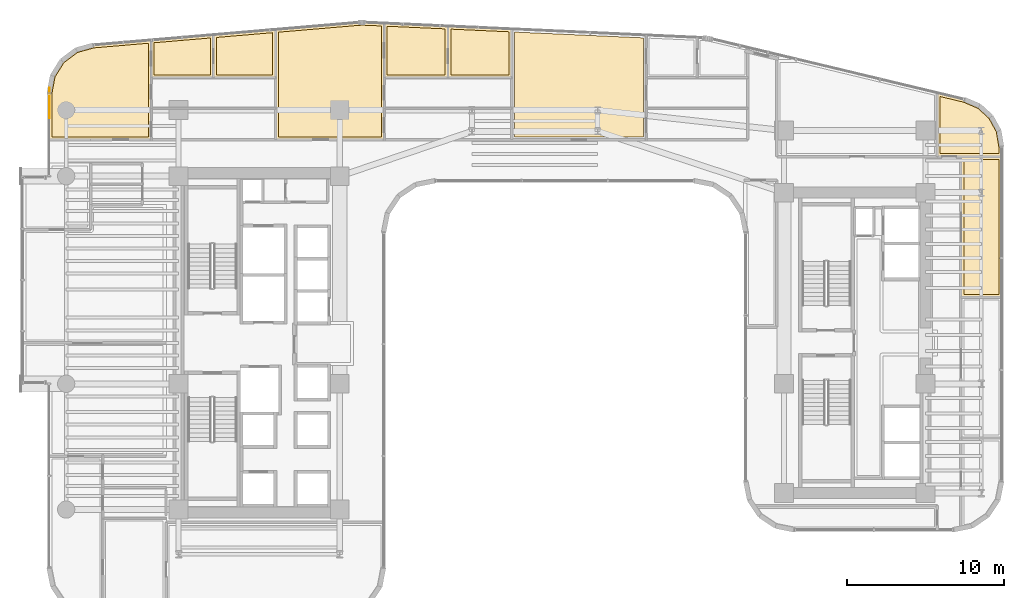
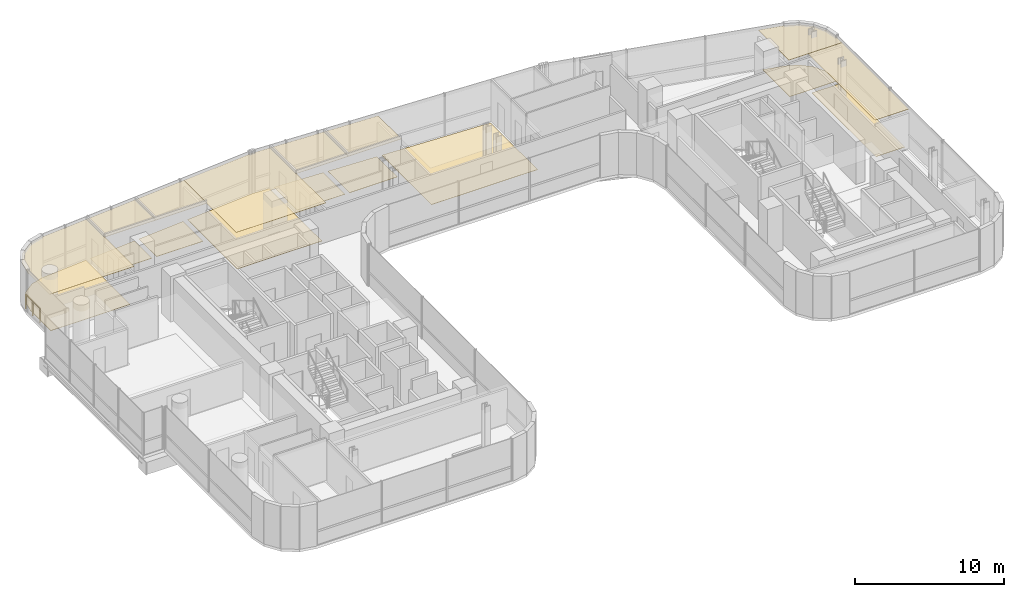
# One storey, part 34 of 35: 17 coverings, 1 railing.
"""IFC4 building model written with IfcOpenShell, lengths in metres."""

from ifc_helpers import new_model, si_unit, direction, frame, origin, origin_2d, place, context, subcontext, project, spatial, polyline, circle, outline, extrude, material, layer, layer_set, type_object, element, save


model = new_model("IFC4")

# Units and contexts
model_context = context("Model", 3, precision=1e-05, world=origin(), true_north=direction((0.0, 1.0)))
body_context = subcontext(model_context, "Body", "Model", "MODEL_VIEW")
ifc_project = project(units=[si_unit("LENGTHUNIT", "METRE"), si_unit("AREAUNIT", "SQUARE_METRE"), si_unit("VOLUMEUNIT", "CUBIC_METRE"), si_unit("PLANEANGLEUNIT", "RADIAN"), si_unit("MASSUNIT", "GRAM", prefix="KILO")], contexts=[model_context])

# Site, building, storey
site_placement = place(None, origin())
site = spatial("IfcSite", under=ifc_project, at=site_placement, CompositionType="ELEMENT")
building_placement = place(site_placement, origin())
building = spatial("IfcBuilding", under=site, at=building_placement, Name="Valdorenza Pilgrim Sanctuary Tower", CompositionType="ELEMENT")
storey_placement = place(building_placement, frame((0.0, 0.0, 105.699951171875)))
storey = spatial("IfcBuildingStorey", under=building, at=storey_placement, Name="L26", CompositionType="ELEMENT", Elevation=105.699951171875)

# Coverings
ifc_material_1 = material(Name="Micro-perforated acoustic mineral ceiling tile", Category="gypsum")
ifc_layer_1 = layer(ifc_material_1, 0.02490234375, Name="Micro-perforated acoustic mineral ceiling tile")
ifc_layer_set_1 = layer_set([ifc_layer_1], Name="Micro-perforated acoustic mineral ceiling tile")
covering_type_1 = type_object("IfcCoveringType", Name="COV-CLG-ACU", PredefinedType="CEILING", material=ifc_layer_set_1)
covering_1_placement = place(storey_placement, frame((0.0, 0.0, 3.16015625)))
element("IfcCovering", 1, at=covering_1_placement, inside=storey, type_object=covering_type_1, Name="L26 North Family Flat L26-N1 Bedroom 1 Acoustic Ceiling", PredefinedType="CEILING", context=body_context, shape_type="SweptSolid", body=[
    extrude(outline(polyline([(-24.38720703125, 16.85498046875), (-24.388671875, 16.85498046875), (-24.39013671875, 16.855224609375), (-24.3916015625, 16.855712890625), (-24.392822265625, 16.856201171875), (-24.394287109375, 16.856689453125), (-24.3955078125, 16.857421875), (-24.396728515625, 16.8583984375), (-24.397705078125, 16.859375), (-24.398681640625, 16.860595703125), (-24.399658203125, 16.86181640625), (-24.400390625, 16.86279296875), (-24.401123046875, 16.8642578125), (-24.401611328125, 16.865478515625), (-24.40185546875, 16.8671875), (-24.402099609375, 16.868408203125), (-24.402099609375, 16.8701171875), (-24.402099609375, 19.251708984375), (-24.402099609375, 19.253173828125), (-24.40185546875, 19.254638671875), (-24.401611328125, 19.256103515625), (-24.40087890625, 19.257568359375), (-24.400390625, 19.2587890625), (-24.399658203125, 19.260009765625), (-24.398681640625, 19.26123046875), (-24.397705078125, 19.262451171875), (-24.396484375, 19.263427734375), (-24.3955078125, 19.264404296875), (-24.39404296875, 19.264892578125), (-24.392822265625, 19.265625), (-24.391357421875, 19.26611328125), (-24.389892578125, 19.2666015625), (-24.388427734375, 19.2666015625), (-20.436279296875, 19.6025390625), (-20.434814453125, 19.6025390625), (-20.43359375, 19.6025390625), (-20.431884765625, 19.602294921875), (-20.4306640625, 19.601806640625), (-20.42919921875, 19.601318359375), (-20.427978515625, 19.600830078125), (-20.4267578125, 19.60009765625), (-20.425537109375, 19.59912109375), (-20.42431640625, 19.59814453125), (-20.423583984375, 19.59716796875), (-20.422607421875, 19.595947265625), (-20.421875, 19.594482421875), (-20.421142578125, 19.59326171875), (-20.420654296875, 19.591796875), (-20.42041015625, 19.590576171875), (-20.420166015625, 19.589111328125), (-20.420166015625, 19.587646484375), (-20.420166015625, 16.8701171875), (-20.420166015625, 16.868408203125), (-20.42041015625, 16.8671875), (-20.420654296875, 16.865478515625), (-20.421142578125, 16.8642578125), (-20.421875, 16.86279296875), (-20.422607421875, 16.86181640625), (-20.423583984375, 16.860595703125), (-20.424560546875, 16.859375), (-20.425537109375, 16.8583984375), (-20.4267578125, 16.857421875), (-20.427978515625, 16.856689453125), (-20.429443359375, 16.856201171875), (-20.4306640625, 16.855712890625), (-20.43212890625, 16.855224609375), (-20.43359375, 16.85498046875), (-20.43505859375, 16.85498046875), (-24.38720703125, 16.85498046875)])), origin(), (0.0, 0.0, 1.0), 0.02490234375),
])
covering_2_placement = place(storey_placement, frame((0.0, 0.0, 3.16015625)))
element("IfcCovering", 2, at=covering_2_placement, inside=storey, type_object=covering_type_1, Name="L26 North Family Flat L26-N1 Bedroom 2 Acoustic Ceiling", PredefinedType="CEILING", context=body_context, shape_type="SweptSolid", body=[
    extrude(outline(polyline([(-20.447998046875, 19.587646484375), (-20.447998046875, 19.58837890625), (-20.447998046875, 19.58984375), (-20.44775390625, 19.59130859375), (-20.447265625, 19.5927734375), (-20.44677734375, 19.593994140625), (-20.446044921875, 19.59521484375), (-20.4453125, 19.596435546875), (-20.4443359375, 19.59765625), (-20.443359375, 19.5986328125), (-20.4423828125, 19.599609375), (-20.441162109375, 19.6005859375), (-20.43994140625, 19.601318359375), (-20.438720703125, 19.601806640625), (-20.437255859375, 19.602294921875), (-20.435791015625, 19.6025390625), (-20.434326171875, 19.602783203125), (-16.484619140625, 19.9384765625), (-16.4833984375, 19.9384765625), (-16.48291015625, 19.9384765625), (-16.4814453125, 19.9384765625), (-16.47998046875, 19.938232421875), (-16.478515625, 19.93798828125), (-16.477294921875, 19.9375), (-16.475830078125, 19.936767578125), (-16.474609375, 19.93603515625), (-16.473388671875, 19.93505859375), (-16.472412109375, 19.93408203125), (-16.471435546875, 19.93310546875), (-16.470458984375, 19.931884765625), (-16.4697265625, 19.9306640625), (-16.468994140625, 19.92919921875), (-16.468505859375, 19.927978515625), (-16.46826171875, 19.926513671875), (-16.468017578125, 19.925048828125), (-16.468017578125, 19.923583984375), (-16.468017578125, 16.8701171875), (-16.468017578125, 16.868408203125), (-16.46826171875, 16.8671875), (-16.468505859375, 16.865478515625), (-16.468994140625, 16.8642578125), (-16.4697265625, 16.86279296875), (-16.470458984375, 16.86181640625), (-16.471435546875, 16.860595703125), (-16.472412109375, 16.859375), (-16.473388671875, 16.8583984375), (-16.474609375, 16.857421875), (-16.475830078125, 16.856689453125), (-16.477294921875, 16.856201171875), (-16.478515625, 16.855712890625), (-16.47998046875, 16.855224609375), (-16.4814453125, 16.85498046875), (-16.48291015625, 16.85498046875), (-20.43310546875, 16.85498046875), (-20.4345703125, 16.85498046875), (-20.43603515625, 16.855224609375), (-20.4375, 16.855712890625), (-20.438720703125, 16.856201171875), (-20.440185546875, 16.856689453125), (-20.44140625, 16.857421875), (-20.442626953125, 16.8583984375), (-20.443603515625, 16.859375), (-20.444580078125, 16.860595703125), (-20.445556640625, 16.86181640625), (-20.4462890625, 16.86279296875), (-20.447021484375, 16.8642578125), (-20.447509765625, 16.865478515625), (-20.44775390625, 16.8671875), (-20.447998046875, 16.868408203125), (-20.447998046875, 16.8701171875), (-20.447998046875, 19.587646484375), (-20.447998046875, 19.587646484375)])), origin(), (0.0, 0.0, 1.0), 0.02490234375),
])
covering_3_placement = place(storey_placement, frame((0.0, 0.0, 3.16015625)))
element("IfcCovering", 3, at=covering_3_placement, inside=storey, type_object=covering_type_1, Name="L26 North Family Flat L26-N1 Living Room Acoustic Ceiling", PredefinedType="CEILING", context=body_context, shape_type="SweptSolid", body=[
    extrude(outline(polyline([(-30.889892578125, 12.905029296875), (-30.8916015625, 12.905029296875), (-30.892822265625, 12.9052734375), (-30.894287109375, 12.905517578125), (-30.895751953125, 12.906005859375), (-30.897216796875, 12.90673828125), (-30.898193359375, 12.907470703125), (-30.8994140625, 12.908447265625), (-30.900634765625, 12.909423828125), (-30.901611328125, 12.910400390625), (-30.902587890625, 12.91162109375), (-30.9033203125, 12.912841796875), (-30.90380859375, 12.914306640625), (-30.904296875, 12.91552734375), (-30.90478515625, 12.9169921875), (-30.90478515625, 12.91845703125), (-30.905029296875, 12.919921875), (-30.905029296875, 15.850341796875), (-30.90478515625, 15.8515625), (-30.90478515625, 15.85302734375), (-30.692138671875, 16.984130859375), (-30.69189453125, 16.985595703125), (-30.69140625, 16.98681640625), (-30.69091796875, 16.98828125), (-30.690185546875, 16.989501953125), (-30.0869140625, 17.95751953125), (-30.086181640625, 17.958740234375), (-30.085205078125, 17.959716796875), (-30.084228515625, 17.960693359375), (-30.083251953125, 17.961669921875), (-29.169677734375, 18.64453125), (-29.16845703125, 18.6455078125), (-29.167236328125, 18.64599609375), (-29.166015625, 18.646484375), (-29.164794921875, 18.647216796875), (-28.055419921875, 18.95458984375), (-28.05419921875, 18.955078125), (-28.052734375, 18.955078125), (-24.390380859375, 19.2666015625), (-24.388916015625, 19.2666015625), (-24.3876953125, 19.2666015625), (-24.385986328125, 19.26611328125), (-24.384765625, 19.265869140625), (-24.38330078125, 19.265380859375), (-24.382080078125, 19.2646484375), (-24.380859375, 19.263916015625), (-24.379638671875, 19.26318359375), (-24.37841796875, 19.26220703125), (-24.377685546875, 19.260986328125), (-24.376708984375, 19.259765625), (-24.3759765625, 19.258544921875), (-24.375244140625, 19.257080078125), (-24.374755859375, 19.255859375), (-24.37451171875, 19.25439453125), (-24.374267578125, 19.2529296875), (-24.374267578125, 19.25146484375), (-24.374267578125, 16.87548828125), (-24.373779296875, 16.875), (-24.373291015625, 16.87353515625), (-24.372802734375, 16.872314453125), (-24.37255859375, 16.870849609375), (-24.372314453125, 16.869384765625), (-24.372314453125, 16.867919921875), (-24.372314453125, 12.919921875), (-24.372314453125, 12.91845703125), (-24.37255859375, 12.9169921875), (-24.372802734375, 12.91552734375), (-24.373291015625, 12.914306640625), (-24.3740234375, 12.912841796875), (-24.374755859375, 12.91162109375), (-24.37548828125, 12.910400390625), (-24.376708984375, 12.909423828125), (-24.377685546875, 12.908447265625), (-24.37890625, 12.907470703125), (-24.380126953125, 12.90673828125), (-24.381591796875, 12.906005859375), (-24.3828125, 12.905517578125), (-24.38427734375, 12.9052734375), (-24.3857421875, 12.905029296875), (-24.38720703125, 12.905029296875), (-30.889892578125, 12.905029296875)])), origin(), (0.0, 0.0, 1.0), 0.02490234375),
])
covering_4_placement = place(storey_placement, frame((0.0, 0.0, 3.16015625)))
element("IfcCovering", 4, at=covering_4_placement, inside=storey, type_object=covering_type_1, Name="L26 North Family Flat L26-N2 Bedroom 1 Acoustic Ceiling", PredefinedType="CEILING", context=body_context, shape_type="SweptSolid", body=[
    extrude(outline(polyline([(-9.57568359375, 16.85498046875), (-9.5771484375, 16.85498046875), (-9.57861328125, 16.855224609375), (-9.580078125, 16.855712890625), (-9.581298828125, 16.856201171875), (-9.582763671875, 16.856689453125), (-9.583984375, 16.857421875), (-9.585205078125, 16.8583984375), (-9.586181640625, 16.859375), (-9.587158203125, 16.860595703125), (-9.588134765625, 16.86181640625), (-9.5888671875, 16.86279296875), (-9.589599609375, 16.8642578125), (-9.590087890625, 16.865478515625), (-9.59033203125, 16.8671875), (-9.590576171875, 16.868408203125), (-9.590576171875, 16.8701171875), (-9.590576171875, 20.3251953125), (-9.590576171875, 20.32666015625), (-9.59033203125, 20.328125), (-9.58984375, 20.32958984375), (-9.58935546875, 20.3310546875), (-9.588623046875, 20.33251953125), (-9.587890625, 20.333740234375), (-9.5869140625, 20.3349609375), (-9.5859375, 20.3359375), (-9.584716796875, 20.3369140625), (-9.58349609375, 20.337890625), (-9.582275390625, 20.338623046875), (-9.580810546875, 20.339111328125), (-9.579345703125, 20.339599609375), (-9.577880859375, 20.33984375), (-9.576416015625, 20.340087890625), (-9.574951171875, 20.340087890625), (-5.5205078125, 20.15576171875), (-5.519287109375, 20.15576171875), (-5.517822265625, 20.155517578125), (-5.516357421875, 20.155029296875), (-5.51513671875, 20.154541015625), (-5.513916015625, 20.15380859375), (-5.5126953125, 20.153076171875), (-5.511474609375, 20.152099609375), (-5.510498046875, 20.151123046875), (-5.509521484375, 20.150146484375), (-5.5087890625, 20.14892578125), (-5.508056640625, 20.147705078125), (-5.50732421875, 20.146484375), (-5.5068359375, 20.14501953125), (-5.506591796875, 20.143798828125), (-5.50634765625, 20.142333984375), (-5.50634765625, 20.140869140625), (-5.50634765625, 16.8701171875), (-5.50634765625, 16.868408203125), (-5.506591796875, 16.8671875), (-5.5068359375, 16.865478515625), (-5.50732421875, 16.8642578125), (-5.508056640625, 16.86279296875), (-5.5087890625, 16.86181640625), (-5.509765625, 16.860595703125), (-5.5107421875, 16.859375), (-5.51171875, 16.8583984375), (-5.512939453125, 16.857421875), (-5.51416015625, 16.856689453125), (-5.515625, 16.856201171875), (-5.516845703125, 16.855712890625), (-5.518310546875, 16.855224609375), (-5.519775390625, 16.85498046875), (-5.521240234375, 16.85498046875), (-9.57568359375, 16.85498046875)])), origin(), (0.0, 0.0, 1.0), 0.02490234375),
])
covering_5_placement = place(storey_placement, frame((0.0, 0.0, 3.16015625)))
element("IfcCovering", 5, at=covering_5_placement, inside=storey, type_object=covering_type_1, Name="L26 North Family Flat L26-N2 Bedroom 2 Acoustic Ceiling", PredefinedType="CEILING", context=body_context, shape_type="SweptSolid", body=[
    extrude(outline(polyline([(-5.519287109375, 16.85498046875), (-5.520751953125, 16.85498046875), (-5.522216796875, 16.855224609375), (-5.523681640625, 16.855712890625), (-5.52490234375, 16.856201171875), (-5.5263671875, 16.856689453125), (-5.527587890625, 16.857421875), (-5.52880859375, 16.8583984375), (-5.52978515625, 16.859375), (-5.531005859375, 16.860595703125), (-5.53173828125, 16.86181640625), (-5.532470703125, 16.86279296875), (-5.533203125, 16.8642578125), (-5.53369140625, 16.865478515625), (-5.533935546875, 16.8671875), (-5.5341796875, 16.868408203125), (-5.5341796875, 16.8701171875), (-5.5341796875, 20.140625), (-5.5341796875, 20.142333984375), (-5.533935546875, 20.143798828125), (-5.53369140625, 20.145263671875), (-5.533203125, 20.146484375), (-5.532470703125, 20.14794921875), (-5.531494140625, 20.1494140625), (-5.53076171875, 20.150390625), (-5.52978515625, 20.151611328125), (-5.528564453125, 20.152587890625), (-5.52734375, 20.1533203125), (-5.52587890625, 20.154296875), (-5.524658203125, 20.15478515625), (-5.523193359375, 20.1552734375), (-5.521484375, 20.155517578125), (-5.52001953125, 20.15576171875), (-5.5185546875, 20.15576171875), (-1.46630859375, 19.971435546875), (-1.46484375, 19.971435546875), (-1.46337890625, 19.97119140625), (-1.462158203125, 19.970703125), (-1.460693359375, 19.97021484375), (-1.45947265625, 19.969482421875), (-1.458251953125, 19.96875), (-1.457275390625, 19.968017578125), (-1.456298828125, 19.966796875), (-1.455078125, 19.9658203125), (-1.454345703125, 19.964599609375), (-1.45361328125, 19.96337890625), (-1.453125, 19.962158203125), (-1.45263671875, 19.960693359375), (-1.452392578125, 19.95947265625), (-1.4521484375, 19.9580078125), (-1.451904296875, 19.95654296875), (-1.451904296875, 16.8701171875), (-1.4521484375, 16.868408203125), (-1.452392578125, 16.8671875), (-1.45263671875, 16.865478515625), (-1.453125, 16.8642578125), (-1.453857421875, 16.86279296875), (-1.45458984375, 16.86181640625), (-1.455322265625, 16.860595703125), (-1.456298828125, 16.859375), (-1.45751953125, 16.8583984375), (-1.458740234375, 16.857421875), (-1.4599609375, 16.856689453125), (-1.461181640625, 16.856201171875), (-1.462646484375, 16.855712890625), (-1.464111328125, 16.855224609375), (-1.465576171875, 16.85498046875), (-1.467041015625, 16.85498046875), (-5.519287109375, 16.85498046875)])), origin(), (0.0, 0.0, 1.0), 0.02490234375),
])
covering_6_placement = place(storey_placement, frame((0.0, 0.0, 3.16015625)))
element("IfcCovering", 6, at=covering_6_placement, inside=storey, type_object=covering_type_1, Name="L26 North Family Flat L26-N2 Living Room Acoustic Ceiling", PredefinedType="CEILING", context=body_context, shape_type="SweptSolid", body=[
    extrude(outline(polyline([(-16.49609375, 14.918212890625), (-16.49609375, 14.9189453125), (-16.496337890625, 14.92041015625), (-16.49609375, 14.922119140625), (-16.49609375, 14.923583984375), (-16.49609375, 14.923828125), (-16.49609375, 16.8662109375), (-16.49609375, 16.866943359375), (-16.496337890625, 16.868408203125), (-16.49609375, 16.8701171875), (-16.49609375, 16.87158203125), (-16.49609375, 16.871826171875), (-16.49609375, 19.923583984375), (-16.49609375, 19.923583984375), (-16.49609375, 19.92431640625), (-16.495849609375, 19.92578125), (-16.49560546875, 19.92724609375), (-16.4951171875, 19.9287109375), (-16.49462890625, 19.929931640625), (-16.493896484375, 19.93115234375), (-16.4931640625, 19.932373046875), (-16.4921875, 19.93359375), (-16.4912109375, 19.9345703125), (-16.490234375, 19.935546875), (-16.489013671875, 19.936279296875), (-16.48779296875, 19.93701171875), (-16.486572265625, 19.937744140625), (-16.485107421875, 19.93798828125), (-16.483642578125, 19.9384765625), (-16.482421875, 19.938720703125), (-11.20068359375, 20.3876953125), (-11.200439453125, 20.3876953125), (-11.099365234375, 20.39453125), (-11.098876953125, 20.39453125), (-10.998291015625, 20.398193359375), (-10.997802734375, 20.398193359375), (-10.897216796875, 20.398681640625), (-10.896728515625, 20.398681640625), (-10.79541015625, 20.3955078125), (-10.795166015625, 20.3955078125), (-9.576904296875, 20.340087890625), (-9.575439453125, 20.340087890625), (-9.57421875, 20.33984375), (-9.57275390625, 20.33935546875), (-9.5712890625, 20.3388671875), (-9.570068359375, 20.338134765625), (-9.56884765625, 20.33740234375), (-9.56787109375, 20.336669921875), (-9.56689453125, 20.335693359375), (-9.56591796875, 20.33447265625), (-9.56494140625, 20.333251953125), (-9.564208984375, 20.33203125), (-9.563720703125, 20.330810546875), (-9.563232421875, 20.329345703125), (-9.56298828125, 20.327880859375), (-9.562744140625, 20.32666015625), (-9.5625, 20.3251953125), (-9.5625, 16.87548828125), (-9.562255859375, 16.875), (-9.561767578125, 16.87353515625), (-9.561279296875, 16.872314453125), (-9.560791015625, 16.870849609375), (-9.560791015625, 16.869384765625), (-9.560546875, 16.867919921875), (-9.560546875, 12.919921875), (-9.560791015625, 12.91845703125), (-9.560791015625, 12.9169921875), (-9.561279296875, 12.91552734375), (-9.561767578125, 12.914306640625), (-9.5625, 12.912841796875), (-9.56298828125, 12.91162109375), (-9.56396484375, 12.910400390625), (-9.56494140625, 12.909423828125), (-9.566162109375, 12.908447265625), (-9.5673828125, 12.907470703125), (-9.568603515625, 12.90673828125), (-9.56982421875, 12.906005859375), (-9.5712890625, 12.905517578125), (-9.57275390625, 12.9052734375), (-9.57421875, 12.905029296875), (-9.57568359375, 12.905029296875), (-16.48095703125, 12.905029296875), (-16.482421875, 12.905029296875), (-16.48388671875, 12.9052734375), (-16.4853515625, 12.905517578125), (-16.48681640625, 12.906005859375), (-16.488037109375, 12.90673828125), (-16.4892578125, 12.907470703125), (-16.490478515625, 12.908447265625), (-16.49169921875, 12.909423828125), (-16.49267578125, 12.910400390625), (-16.493408203125, 12.91162109375), (-16.494140625, 12.912841796875), (-16.494873046875, 12.914306640625), (-16.495361328125, 12.91552734375), (-16.49560546875, 12.9169921875), (-16.495849609375, 12.91845703125), (-16.49609375, 12.919921875), (-16.49609375, 14.918212890625)])), origin(), (0.0, 0.0, 1.0), 0.02490234375),
])
covering_7_placement = place(storey_placement, frame((0.0, 0.0, 3.16015625)))
element("IfcCovering", 7, at=covering_7_placement, inside=storey, type_object=covering_type_1, Name="L26 East Wing Reference Library L26-BNE Acoustic Ceiling", PredefinedType="CEILING", context=body_context, shape_type="SweptSolid", body=[
    extrude(outline(polyline([(27.313720703125, 15.49755859375), (27.31494140625, 15.4970703125), (27.316162109375, 15.49658203125), (28.269775390625, 15.09130859375), (28.271240234375, 15.090576171875), (28.272705078125, 15.089599609375), (28.27392578125, 15.088623046875), (29.034912109375, 14.3994140625), (29.035888671875, 14.398193359375), (29.037109375, 14.39697265625), (29.037841796875, 14.3955078125), (29.531005859375, 13.4951171875), (29.53173828125, 13.49365234375), (29.5322265625, 13.4921875), (29.53271484375, 13.490478515625), (29.704833984375, 12.468994140625), (29.704833984375, 12.467529296875), (29.705078125, 12.46630859375), (29.705078125, 11.85009765625), (29.704833984375, 11.848388671875), (29.70458984375, 11.84716796875), (29.704345703125, 11.845703125), (29.703857421875, 11.84423828125), (29.703125, 11.843017578125), (29.702392578125, 11.841796875), (29.70166015625, 11.840576171875), (29.70068359375, 11.83935546875), (29.699462890625, 11.83837890625), (29.6982421875, 11.83740234375), (29.697021484375, 11.8369140625), (29.69580078125, 11.836181640625), (29.6943359375, 11.835693359375), (29.69287109375, 11.835205078125), (29.69140625, 11.835205078125), (29.68994140625, 11.8349609375), (25.60205078125, 11.8349609375), (25.6005859375, 11.835205078125), (25.59912109375, 11.835205078125), (25.59765625, 11.835693359375), (25.59619140625, 11.836181640625), (25.594970703125, 11.8369140625), (25.59375, 11.83740234375), (25.592529296875, 11.83837890625), (25.59130859375, 11.83935546875), (25.59033203125, 11.840576171875), (25.589599609375, 11.841796875), (25.5888671875, 11.843017578125), (25.588134765625, 11.84423828125), (25.587646484375, 11.845703125), (25.58740234375, 11.84716796875), (25.587158203125, 11.848388671875), (25.5869140625, 11.85009765625), (25.5869140625, 15.891845703125), (25.587158203125, 15.893310546875), (25.58740234375, 15.894775390625), (25.587646484375, 15.896240234375), (25.588134765625, 15.897705078125), (25.5888671875, 15.89892578125), (25.589599609375, 15.900390625), (25.590576171875, 15.901611328125), (25.591552734375, 15.902587890625), (25.5927734375, 15.903564453125), (25.593994140625, 15.904296875), (25.59521484375, 15.9052734375), (25.5966796875, 15.90576171875), (25.597900390625, 15.90625), (25.599609375, 15.906494140625), (25.60107421875, 15.90673828125), (25.6025390625, 15.90673828125), (25.60400390625, 15.906494140625), (25.60546875, 15.906494140625), (27.313720703125, 15.49755859375)])), origin(), (0.0, 0.0, 1.0), 0.02490234375),
])
covering_8_placement = place(storey_placement, frame((0.0, 0.0, 3.16015625)))
element("IfcCovering", 8, at=covering_8_placement, inside=storey, type_object=covering_type_1, Name="L26 East Reading Lounge L26-EB3 Acoustic Ceiling", PredefinedType="CEILING", context=body_context, shape_type="SweptSolid", body=[
    extrude(outline(polyline([(27.0849609375, 11.847900390625), (27.085205078125, 11.849609375), (27.085205078125, 11.850830078125), (27.085693359375, 11.852294921875), (27.086181640625, 11.853759765625), (27.0869140625, 11.85498046875), (27.08740234375, 11.856201171875), (27.08837890625, 11.857421875), (27.08935546875, 11.858642578125), (27.090576171875, 11.859619140625), (27.091796875, 11.860595703125), (27.093017578125, 11.861083984375), (27.09423828125, 11.86181640625), (27.095703125, 11.8623046875), (27.09716796875, 11.86279296875), (27.098388671875, 11.86279296875), (27.10009765625, 11.863037109375), (29.68994140625, 11.863037109375), (29.69140625, 11.86279296875), (29.69287109375, 11.86279296875), (29.6943359375, 11.8623046875), (29.69580078125, 11.86181640625), (29.697021484375, 11.861083984375), (29.6982421875, 11.860595703125), (29.699462890625, 11.859619140625), (29.70068359375, 11.858642578125), (29.70166015625, 11.857421875), (29.702392578125, 11.856201171875), (29.703125, 11.85498046875), (29.703857421875, 11.853759765625), (29.704345703125, 11.852294921875), (29.70458984375, 11.850830078125), (29.704833984375, 11.849609375), (29.705078125, 11.847900390625), (29.705078125, 2.902099609375), (29.704833984375, 2.900390625), (29.70458984375, 2.899169921875), (29.704345703125, 2.897705078125), (29.703857421875, 2.896240234375), (29.703125, 2.89501953125), (29.702392578125, 2.893798828125), (29.70166015625, 2.892578125), (29.70068359375, 2.891357421875), (29.699462890625, 2.890380859375), (29.6982421875, 2.889404296875), (29.697021484375, 2.888916015625), (29.69580078125, 2.88818359375), (29.6943359375, 2.8876953125), (29.69287109375, 2.88720703125), (29.69140625, 2.88720703125), (29.68994140625, 2.886962890625), (27.10009765625, 2.886962890625), (27.098388671875, 2.88720703125), (27.09716796875, 2.88720703125), (27.095703125, 2.8876953125), (27.09423828125, 2.88818359375), (27.093017578125, 2.888916015625), (27.091796875, 2.889404296875), (27.090576171875, 2.890380859375), (27.08935546875, 2.891357421875), (27.08837890625, 2.892578125), (27.08740234375, 2.893798828125), (27.0869140625, 2.89501953125), (27.086181640625, 2.896240234375), (27.085693359375, 2.897705078125), (27.085205078125, 2.899169921875), (27.085205078125, 2.900390625), (27.0849609375, 2.902099609375), (27.0849609375, 11.847900390625)])), origin(), (0.0, 0.0, 1.0), 0.02490234375),
])
ifc_material_2 = material(Name="Engineered European oak timber flooring", Category="wood")
ifc_layer_2 = layer(ifc_material_2, 0.02197265625, Name="Engineered European oak timber flooring")
ifc_layer_set_2 = layer_set([ifc_layer_2], Name="Engineered European oak timber flooring")
covering_type_2 = type_object("IfcCoveringType", Name="COV-FLR-OAK", PredefinedType="FLOORING", material=ifc_layer_set_2)
covering_9_placement = place(storey_placement, origin())
element("IfcCovering", 9, at=covering_9_placement, inside=storey, type_object=covering_type_2, Name="L26 North Family Flat L26-N1 Bedroom 1 Flooring", PredefinedType="FLOORING", context=body_context, shape_type="SweptSolid", body=[
    extrude(outline(polyline([(-24.207275390625, 17.050048828125), (-24.207275390625, 19.08642578125), (-20.614990234375, 19.3916015625), (-20.614990234375, 17.050048828125), (-24.207275390625, 17.050048828125)])), origin(), (0.0, 0.0, 1.0), 0.025146484375),
])
covering_10_placement = place(storey_placement, origin())
element("IfcCovering", 10, at=covering_10_placement, inside=storey, type_object=covering_type_2, Name="L26 North Family Flat L26-N1 Bedroom 2 Flooring", PredefinedType="FLOORING", context=body_context, shape_type="SweptSolid", body=[
    extrude(outline(polyline([(-16.6630859375, 17.050048828125), (-20.253173828125, 17.050048828125), (-20.253173828125, 19.42236328125), (-16.663330078125, 19.7275390625), (-16.6630859375, 17.050048828125)])), origin(), (0.0, 0.0, 1.0), 0.025146484375),
])
covering_11_placement = place(storey_placement, origin())
element("IfcCovering", 11, at=covering_11_placement, inside=storey, type_object=covering_type_2, Name="L26 North Family Flat L26-N1 Living Room Flooring", PredefinedType="FLOORING", context=body_context, shape_type="SweptSolid", body=[
    extrude(outline(polyline([(-30.7099609375, 13.10009765625), (-30.7099609375, 15.83349609375), (-30.5068359375, 16.9150390625), (-29.939208984375, 17.82568359375), (-29.080078125, 18.46826171875), (-28.01953125, 18.76220703125), (-24.569091796875, 19.0556640625), (-24.569091796875, 16.8701171875), (-24.5673828125, 13.10009765625), (-30.7099609375, 13.10009765625)])), origin(), (0.0, 0.0, 1.0), 0.025146484375),
])
covering_12_placement = place(storey_placement, origin())
element("IfcCovering", 12, at=covering_12_placement, inside=storey, type_object=covering_type_2, Name="L26 North Family Flat L26-N2 Bedroom 1 Flooring", PredefinedType="FLOORING", context=body_context, shape_type="SweptSolid", body=[
    extrude(outline(polyline([(-9.3955078125, 17.050048828125), (-9.3955078125, 20.13671875), (-5.701416015625, 19.96875), (-5.701416015625, 17.050048828125), (-9.3955078125, 17.050048828125)])), origin(), (0.0, 0.0, 1.0), 0.025146484375),
])
covering_13_placement = place(storey_placement, origin())
element("IfcCovering", 13, at=covering_13_placement, inside=storey, type_object=covering_type_2, Name="L26 North Family Flat L26-N2 Bedroom 2 Flooring", PredefinedType="FLOORING", context=body_context, shape_type="SweptSolid", body=[
    extrude(outline(polyline([(-5.33935546875, 17.050048828125), (-5.33935546875, 19.952392578125), (-1.64697265625, 19.784423828125), (-1.64697265625, 17.050048828125), (-5.33935546875, 17.050048828125)])), origin(), (0.0, 0.0, 1.0), 0.025146484375),
])
covering_14_placement = place(storey_placement, origin())
element("IfcCovering", 14, at=covering_14_placement, inside=storey, type_object=covering_type_2, Name="L26 North Family Flat L26-N2 Living Room Flooring", PredefinedType="FLOORING", context=body_context, shape_type="SweptSolid", body=[
    extrude(outline(polyline([(-16.301025390625, 14.921630859375), (-16.301025390625, 14.922119140625), (-16.301025390625, 16.867919921875), (-16.301025390625, 16.868896484375), (-16.301025390625, 16.86962890625), (-16.301025390625, 16.8701171875), (-16.301025390625, 19.75830078125), (-11.185546875, 20.193115234375), (-11.0888671875, 20.199951171875), (-10.994140625, 20.203125), (-10.8994140625, 20.20361328125), (-10.802490234375, 20.20068359375), (-9.757568359375, 20.1533203125), (-9.757568359375, 16.8701171875), (-9.755615234375, 13.10009765625), (-16.301025390625, 13.10009765625), (-16.301025390625, 14.919921875), (-16.301025390625, 14.9208984375), (-16.301025390625, 14.921630859375)])), origin(), (0.0, 0.0, 1.0), 0.025146484375),
])
covering_15_placement = place(storey_placement, origin())
element("IfcCovering", 15, at=covering_15_placement, inside=storey, type_object=covering_type_2, Name="L26 North Family Flat L26-N3 Living Room Flooring", PredefinedType="FLOORING", context=body_context, shape_type="SweptSolid", body=[
    extrude(outline(polyline([(-1.284912109375, 14.921630859375), (-1.284912109375, 14.922119140625), (-1.284912109375, 16.867919921875), (-1.284912109375, 16.868896484375), (-1.284912109375, 16.86962890625), (-1.284912109375, 16.8701171875), (-1.284912109375, 19.76806640625), (6.90869140625, 19.395751953125), (6.90869140625, 16.8701171875), (6.91064453125, 13.10009765625), (-1.284912109375, 13.10009765625), (-1.284912109375, 14.919921875), (-1.284912109375, 14.9208984375), (-1.284912109375, 14.921630859375)])), origin(), (0.0, 0.0, 1.0), 0.025146484375),
])
ifc_material_3 = material(Name="Honed travertine stone flooring", Category="masonry")
ifc_layer_3 = layer(ifc_material_3, 0.030029296875, Name="Honed travertine stone flooring")
ifc_layer_set_3 = layer_set([ifc_layer_3], Name="Honed travertine stone flooring")
covering_type_3 = type_object("IfcCoveringType", Name="COV-FLR-TRV", PredefinedType="FLOORING", material=ifc_layer_set_3)
covering_16_placement = place(storey_placement, origin())
element("IfcCovering", 16, at=covering_16_placement, inside=storey, type_object=covering_type_3, Name="L26 East Wing Reference Library L26-BNE Flooring", PredefinedType="FLOORING", context=body_context, shape_type="SweptSolid", body=[
    extrude(outline(polyline([(27.25390625, 15.311279296875), (28.16552734375, 14.923583984375), (28.88134765625, 14.275390625), (29.345458984375, 13.427978515625), (29.510009765625, 12.451416015625), (29.510009765625, 12.030029296875), (25.781982421875, 12.030029296875), (25.781982421875, 15.66357421875), (27.25390625, 15.311279296875)])), origin(), (0.0, 0.0, 1.0), 0.025146484375),
])
covering_17_placement = place(storey_placement, origin())
element("IfcCovering", 17, at=covering_17_placement, inside=storey, type_object=covering_type_3, Name="L26 East Reading Lounge L26-EB3 Flooring", PredefinedType="FLOORING", context=body_context, shape_type="SweptSolid", body=[
    extrude(outline(polyline([(27.280029296875, 11.66796875), (29.510009765625, 11.66796875), (29.510009765625, 3.08203125), (27.280029296875, 3.08203125), (27.280029296875, 11.66796875)])), origin(), (0.0, 0.0, 1.0), 0.025146484375),
])

# Railing
ifc_material_4 = material(Name="Stainless steel Grade 316", Category="steel")
railing_type = type_object("IfcRailingType", Name="RLG-GRD-1120", PredefinedType="GUARDRAIL", material=ifc_material_4)
railing_placement = place(storey_placement, frame((-30.860107421875, 14.300048828125, 0.0)))
element("IfcRailing", 18, at=railing_placement, inside=storey, type_object=railing_type, Name="L26 NW Tangent Safety Sill Guard", PredefinedType="GUARDRAIL", context=body_context, shape_type="SweptSolid", body=[
    extrude(circle(Radius=0.02392578125, at=origin_2d()), frame((0.0, 0.0, 1.17578125), z_axis=(0.0, 1.0, 0.0), x_axis=(-1.0, 0.0, 0.0)), (0.0, 0.0, 1.0), 1.89990234375),
    extrude(circle(Radius=0.02099609375, at=origin_2d()), origin(), (0.0, 0.0, 1.0), 1.15185546875),
    extrude(circle(Radius=0.02099609375, at=origin_2d()), frame((0.0, 0.949951171875, 0.0)), (0.0, 0.0, 1.0), 1.15185546875),
    extrude(circle(Radius=0.02099609375, at=origin_2d()), frame((0.0, 1.89990234375, 0.0)), (0.0, 0.0, 1.0), 1.15185546875),
])

save(model, "model.ifc")
